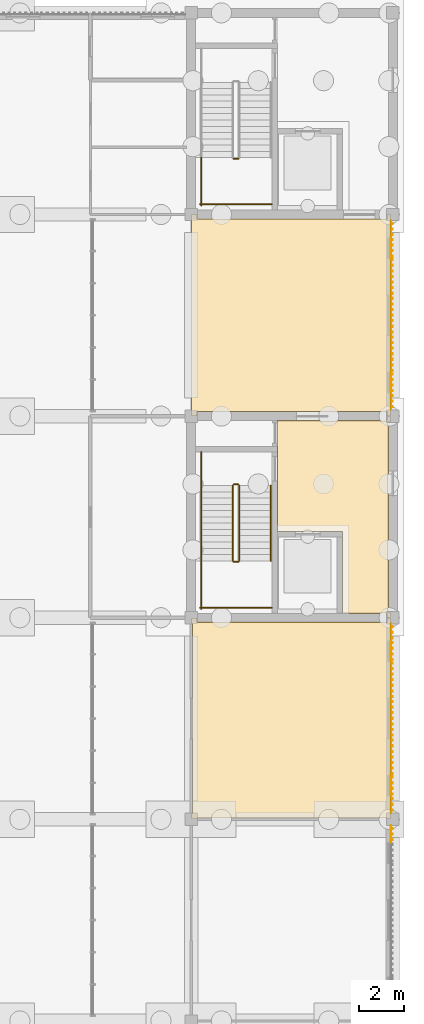
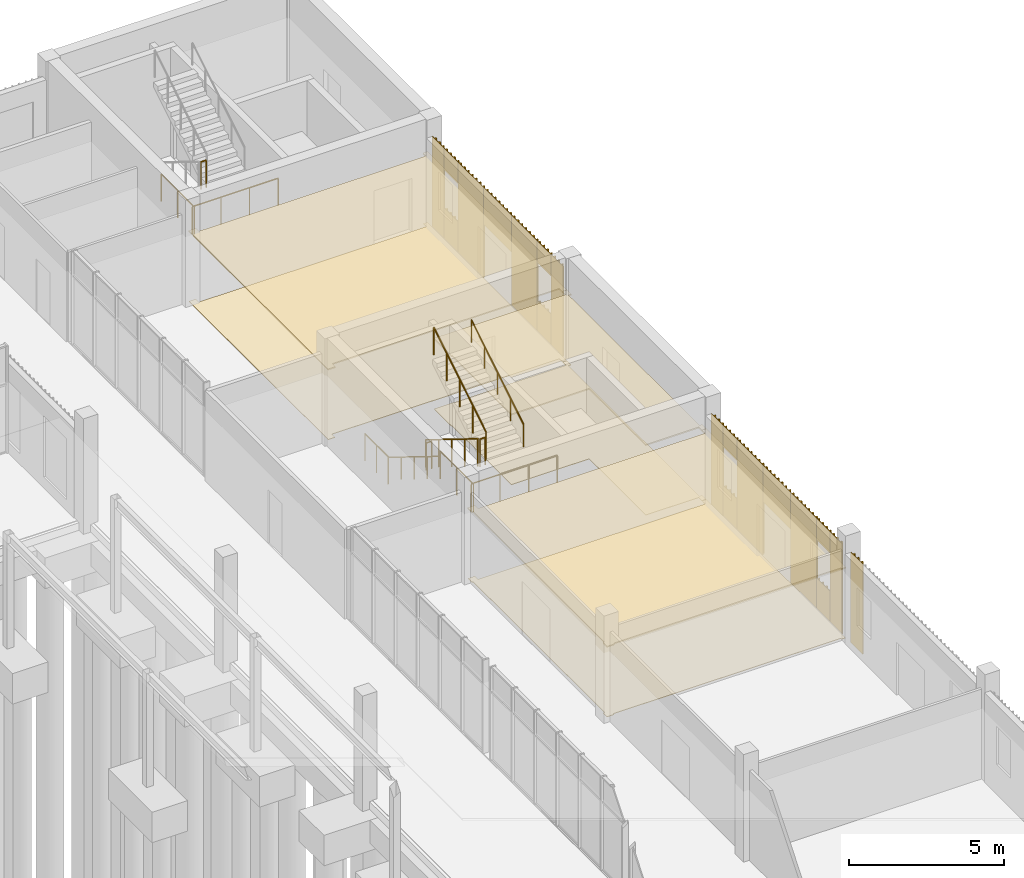
# One storey, part 98 of 106: 25 coverings, 12 railings.
"""IFC4 building model written with IfcOpenShell, lengths in metres."""

from ifc_helpers import new_model, si_unit, direction, frame, origin, origin_2d, place, context, subcontext, project, spatial, polyline, circle, outline, extrude, source, transform, mapped, material, layer, layer_set, type_object, element, save


model = new_model("IFC4")

# Units and contexts
model_context = context("Model", 3, precision=1e-05, world=origin(), true_north=direction((0.0, 1.0)))
body_context = subcontext(model_context, "Body", "Model", "MODEL_VIEW")
ifc_project = project(units=[si_unit("LENGTHUNIT", "METRE"), si_unit("AREAUNIT", "SQUARE_METRE"), si_unit("VOLUMEUNIT", "CUBIC_METRE"), si_unit("PLANEANGLEUNIT", "RADIAN"), si_unit("MASSUNIT", "GRAM", prefix="KILO")], contexts=[model_context])

# Site, building, storey
site_placement = place(None, origin())
site = spatial("IfcSite", under=ifc_project, at=site_placement, CompositionType="ELEMENT")
building_placement = place(site_placement, origin())
building = spatial("IfcBuilding", under=site, at=building_placement, Name="Merrow Basin Faculty of Sciences", CompositionType="ELEMENT")
storey_placement = place(building_placement, origin())
storey = spatial("IfcBuildingStorey", under=building, at=storey_placement, Name="L00", CompositionType="ELEMENT", Elevation=0.0)

# Coverings
ifc_material_1 = material(Name="Carpet tile floor")
ifc_layer_1 = layer(ifc_material_1, 0.02001953125)
ifc_layer_set_1 = layer_set([ifc_layer_1], Name="Carpet tile floor")
covering_type_1 = type_object("IfcCoveringType", Name="Carpet tile floor", PredefinedType="FLOORING", material=ifc_layer_set_1)
covering_1_placement = place(storey_placement, origin())
element("IfcCovering", 1, at=covering_1_placement, inside=storey, type_object=covering_type_1, Name="Floor finish L00-C-028", PredefinedType="FLOORING", context=body_context, shape_type="SweptSolid", body=[
    extrude(outline(polyline([(63.010009765625, 97.264892578125), (63.06005859375, 97.264892578125), (63.06005859375, 105.735107421875), (63.010009765625, 105.735107421875), (63.010009765625, 105.989990234375), (63.264892578125, 105.989990234375), (63.264892578125, 105.7900390625), (71.735107421875, 105.7900390625), (71.735107421875, 105.989990234375), (71.889892578125, 105.989990234375), (71.889892578125, 97.010009765625), (71.735107421875, 97.010009765625), (71.735107421875, 97.06005859375), (63.264892578125, 97.06005859375), (63.264892578125, 97.010009765625), (63.010009765625, 97.010009765625), (63.010009765625, 97.264892578125)])), origin(), (0.0, 0.0, 1.0), 0.02001953125),
])
ifc_material_2 = material(Name="Polished terrazzo floor")
ifc_layer_2 = layer(ifc_material_2, 0.02001953125)
ifc_layer_set_2 = layer_set([ifc_layer_2], Name="Polished terrazzo floor")
covering_type_2 = type_object("IfcCoveringType", Name="Polished terrazzo floor", PredefinedType="FLOORING", material=ifc_layer_set_2)
covering_2_placement = place(storey_placement, origin())
element("IfcCovering", 2, at=covering_2_placement, inside=storey, type_object=covering_type_2, Name="Floor finish L00-C-007", PredefinedType="FLOORING", context=body_context, shape_type="SweptSolid", body=[
    extrude(outline(polyline([(71.889892578125, 114.989990234375), (71.889892578125, 114.735107421875), (71.7900390625, 114.735107421875), (71.7900390625, 106.264892578125), (71.889892578125, 106.264892578125), (71.889892578125, 106.010009765625), (71.735107421875, 106.010009765625), (71.735107421875, 106.2099609375), (69.760009765625, 106.2099609375), (69.760009765625, 109.860107421875), (66.860107421875, 109.860107421875), (66.860107421875, 113.659912109375), (66.8349609375, 113.659912109375), (66.8349609375, 114.7900390625), (71.735107421875, 114.7900390625), (71.735107421875, 114.989990234375), (71.889892578125, 114.989990234375)])), origin(), (0.0, 0.0, 1.0), 0.02001953125),
])
covering_3_placement = place(storey_placement, origin())
element("IfcCovering", 3, at=covering_3_placement, inside=storey, type_object=covering_type_2, Name="Floor finish L00-C-019", PredefinedType="FLOORING", context=body_context, shape_type="SweptSolid", body=[
    extrude(outline(polyline([(63.010009765625, 123.989990234375), (63.264892578125, 123.989990234375), (63.264892578125, 123.7900390625), (71.735107421875, 123.7900390625), (71.735107421875, 123.989990234375), (71.889892578125, 123.989990234375), (71.889892578125, 115.010009765625), (71.735107421875, 115.010009765625), (71.735107421875, 115.2099609375), (63.264892578125, 115.2099609375), (63.264892578125, 115.010009765625), (63.010009765625, 115.010009765625), (63.010009765625, 123.989990234375)])), origin(), (0.0, 0.0, 1.0), 0.02001953125),
])

# Railings
ifc_material_3 = material(Name="Steel ASTM A36", Category="steel")
railing_type_1 = type_object("IfcRailingType", Name="Steel guard 1100", PredefinedType="GUARDRAIL", material=ifc_material_3)
railing_1_placement = place(storey_placement, frame((64.85009765625, 111.89990234375, 0.173095703125)))
element("IfcRailing", 4, at=railing_1_placement, inside=storey, type_object=railing_type_1, Name="L00 ST-V2-M stair guard 1", PredefinedType="GUARDRAIL", context=body_context, shape_type="SweptSolid", body=[
    extrude(circle(Radius=0.02392578125, at=origin_2d()), frame((0.0, 0.0, 1.076171875), z_axis=(0.0, -0.850606129759, 0.525803396734), x_axis=(1.0, 0.0, 0.0)), (0.0, 0.0, 1.0), 3.949951171875),
    extrude(circle(Radius=0.02099609375, at=origin_2d()), origin(), (0.0, 0.0, 1.0), 1.052001953125),
    extrude(circle(Radius=0.02099609375, at=origin_2d()), frame((0.0, -0.83984375, 0.519287109375)), (0.0, 0.0, 1.0), 1.052001953125),
    extrude(circle(Radius=0.02099609375, at=origin_2d()), frame((0.0, -1.679931640625, 1.03857421875)), (0.0, 0.0, 1.0), 1.052001953125),
    extrude(circle(Radius=0.02099609375, at=origin_2d()), frame((0.0, -2.52001953125, 1.5576171875)), (0.0, 0.0, 1.0), 1.052001953125),
    extrude(circle(Radius=0.02099609375, at=origin_2d()), frame((0.0, -3.35986328125, 2.076904296875)), (0.0, 0.0, 1.0), 1.052001953125),
])
railing_2_placement = place(storey_placement, frame((64.89990234375, 108.489990234375, 2.25)))
element("IfcRailing", 5, at=railing_2_placement, inside=storey, type_object=railing_type_1, Name="L00 ST-V2-M stair guard 2", PredefinedType="GUARDRAIL", context=body_context, shape_type="SweptSolid", body=[
    extrude(circle(Radius=0.02392578125, at=origin_2d()), frame((0.0, 0.0, 1.076171875), z_axis=(1.0, 0.0, 0.0), x_axis=(0.0, 1.0, 0.0)), (0.0, 0.0, 1.0), 0.2001953125),
    extrude(circle(Radius=0.02099609375, at=origin_2d()), origin(), (0.0, 0.0, 1.0), 1.052001953125),
    extrude(circle(Radius=0.02099609375, at=origin_2d()), frame((0.2001953125, 0.0, 0.0)), (0.0, 0.0, 1.0), 1.052001953125),
])
railing_3_placement = place(storey_placement, frame((63.449951171875, 108.5400390625, 2.25)))
element("IfcRailing", 6, at=railing_3_placement, inside=storey, type_object=railing_type_1, Name="L00 ST-V2-M stair guard 3", PredefinedType="GUARDRAIL", context=body_context, shape_type="SweptSolid", body=[
    extrude(circle(Radius=0.02392578125, at=origin_2d()), frame((0.0, 0.0, 1.076171875), z_axis=(0.0, -1.0, 0.0), x_axis=(1.0, 0.0, 0.0)), (0.0, 0.0, 1.0), 2.14013671875),
    extrude(circle(Radius=0.02099609375, at=origin_2d()), origin(), (0.0, 0.0, 1.0), 1.052001953125),
    extrude(circle(Radius=0.02099609375, at=origin_2d()), frame((0.0, -1.070068359375, 0.0)), (0.0, 0.0, 1.0), 1.052001953125),
    extrude(circle(Radius=0.02099609375, at=origin_2d()), frame((0.0, -2.14013671875, 0.0)), (0.0, 0.0, 1.0), 1.052001953125),
])
railing_4_placement = place(storey_placement, frame((63.39990234375, 106.449951171875, 2.25)))
element("IfcRailing", 7, at=railing_4_placement, inside=storey, type_object=railing_type_1, Name="L00 ST-V2-M stair guard 4", PredefinedType="GUARDRAIL", context=body_context, shape_type="SweptSolid", body=[
    extrude(circle(Radius=0.02392578125, at=origin_2d()), frame((0.0, 0.0, 1.076171875), z_axis=(1.0, 0.0, 0.0), x_axis=(0.0, 1.0, 0.0)), (0.0, 0.0, 1.0), 3.2001953125),
    extrude(circle(Radius=0.02099609375, at=origin_2d()), origin(), (0.0, 0.0, 1.0), 1.052001953125),
    extrude(circle(Radius=0.02099609375, at=origin_2d()), frame((1.066650390625, 0.0, 0.0)), (0.0, 0.0, 1.0), 1.052001953125),
    extrude(circle(Radius=0.02099609375, at=origin_2d()), frame((2.133544921875, 0.0, 0.0)), (0.0, 0.0, 1.0), 1.052001953125),
    extrude(circle(Radius=0.02099609375, at=origin_2d()), frame((3.2001953125, 0.0, 0.0)), (0.0, 0.0, 1.0), 1.052001953125),
])
railing_5_placement = place(storey_placement, frame((65.14990234375, 108.5400390625, 2.423095703125)))
element("IfcRailing", 8, at=railing_5_placement, inside=storey, type_object=railing_type_1, Name="L00 ST-V2-M stair guard 5", PredefinedType="GUARDRAIL", context=body_context, shape_type="SweptSolid", body=[
    extrude(circle(Radius=0.02392578125, at=origin_2d()), frame((0.0, 0.0, 1.076171875), z_axis=(0.0, 0.850606129759, 0.525803396734), x_axis=(-1.0, 0.0, 0.0)), (0.0, 0.0, 1.0), 3.949951171875),
    extrude(circle(Radius=0.02099609375, at=origin_2d()), origin(), (0.0, 0.0, 1.0), 1.052001953125),
    extrude(circle(Radius=0.02099609375, at=origin_2d()), frame((0.0, 0.83984375, 0.519287109375)), (0.0, 0.0, 1.0), 1.052001953125),
    extrude(circle(Radius=0.02099609375, at=origin_2d()), frame((0.0, 1.679931640625, 1.03857421875)), (0.0, 0.0, 1.0), 1.052001953125),
    extrude(circle(Radius=0.02099609375, at=origin_2d()), frame((0.0, 2.52001953125, 1.5576171875)), (0.0, 0.0, 1.0), 1.052001953125),
    extrude(circle(Radius=0.02099609375, at=origin_2d()), frame((0.0, 3.35986328125, 2.076904296875)), (0.0, 0.0, 1.0), 1.052001953125),
])
railing_6_placement = place(storey_placement, frame((64.89990234375, 111.949951171875, 0.0)))
element("IfcRailing", 9, at=railing_6_placement, inside=storey, type_object=railing_type_1, Name="L00 ST-V2-M stair guard 6", PredefinedType="GUARDRAIL", context=body_context, shape_type="SweptSolid", body=[
    extrude(circle(Radius=0.02392578125, at=origin_2d()), frame((0.0, 0.0, 1.076171875), z_axis=(1.0, 0.0, 0.0), x_axis=(0.0, 1.0, 0.0)), (0.0, 0.0, 1.0), 0.2001953125),
    extrude(circle(Radius=0.02099609375, at=origin_2d()), origin(), (0.0, 0.0, 1.0), 1.052001953125),
    extrude(circle(Radius=0.02099609375, at=origin_2d()), frame((0.2001953125, 0.0, 0.0)), (0.0, 0.0, 1.0), 1.052001953125),
])
railing_7_placement = place(storey_placement, frame((63.449951171875, 113.39990234375, 0.0)))
element("IfcRailing", 10, at=railing_7_placement, inside=storey, type_object=railing_type_1, Name="L00 ST-V2-M stair guard 7", PredefinedType="GUARDRAIL", context=body_context, shape_type="SweptSolid", body=[
    extrude(circle(Radius=0.02392578125, at=origin_2d()), frame((0.0, 0.0, 1.076171875), z_axis=(0.0, -1.0, 0.0), x_axis=(1.0, 0.0, 0.0)), (0.0, 0.0, 1.0), 1.5),
    extrude(circle(Radius=0.02099609375, at=origin_2d()), origin(), (0.0, 0.0, 1.0), 1.052001953125),
    extrude(circle(Radius=0.02099609375, at=origin_2d()), frame((0.0, -0.75, 0.0)), (0.0, 0.0, 1.0), 1.052001953125),
    extrude(circle(Radius=0.02099609375, at=origin_2d()), frame((0.0, -1.5, 0.0)), (0.0, 0.0, 1.0), 1.052001953125),
])
railing_8_placement = place(storey_placement, frame((64.89990234375, 126.489990234375, 2.25)))
element("IfcRailing", 11, at=railing_8_placement, inside=storey, type_object=railing_type_1, Name="L00 ST-V2-N stair guard 2", PredefinedType="GUARDRAIL", context=body_context, shape_type="SweptSolid", body=[
    extrude(circle(Radius=0.02392578125, at=origin_2d()), frame((0.0, 0.0, 1.076171875), z_axis=(1.0, 0.0, 0.0), x_axis=(0.0, 1.0, 0.0)), (0.0, 0.0, 1.0), 0.2001953125),
    extrude(circle(Radius=0.02099609375, at=origin_2d()), origin(), (0.0, 0.0, 1.0), 1.052001953125),
    extrude(circle(Radius=0.02099609375, at=origin_2d()), frame((0.2001953125, 0.0, 0.0)), (0.0, 0.0, 1.0), 1.052001953125),
])
railing_9_placement = place(storey_placement, frame((63.449951171875, 126.5400390625, 2.25)))
element("IfcRailing", 12, at=railing_9_placement, inside=storey, type_object=railing_type_1, Name="L00 ST-V2-N stair guard 3", PredefinedType="GUARDRAIL", context=body_context, shape_type="SweptSolid", body=[
    extrude(circle(Radius=0.02392578125, at=origin_2d()), frame((0.0, 0.0, 1.076171875), z_axis=(0.0, -1.0, 0.0), x_axis=(1.0, 0.0, 0.0)), (0.0, 0.0, 1.0), 2.14013671875),
    extrude(circle(Radius=0.02099609375, at=origin_2d()), origin(), (0.0, 0.0, 1.0), 1.052001953125),
    extrude(circle(Radius=0.02099609375, at=origin_2d()), frame((0.0, -1.070068359375, 0.0)), (0.0, 0.0, 1.0), 1.052001953125),
    extrude(circle(Radius=0.02099609375, at=origin_2d()), frame((0.0, -2.14013671875, 0.0)), (0.0, 0.0, 1.0), 1.052001953125),
])
railing_10_placement = place(storey_placement, frame((63.39990234375, 124.449951171875, 2.25)))
element("IfcRailing", 13, at=railing_10_placement, inside=storey, type_object=railing_type_1, Name="L00 ST-V2-N stair guard 4", PredefinedType="GUARDRAIL", context=body_context, shape_type="SweptSolid", body=[
    extrude(circle(Radius=0.02392578125, at=origin_2d()), frame((0.0, 0.0, 1.076171875), z_axis=(1.0, 0.0, 0.0), x_axis=(0.0, 1.0, 0.0)), (0.0, 0.0, 1.0), 3.2001953125),
    extrude(circle(Radius=0.02099609375, at=origin_2d()), origin(), (0.0, 0.0, 1.0), 1.052001953125),
    extrude(circle(Radius=0.02099609375, at=origin_2d()), frame((1.066650390625, 0.0, 0.0)), (0.0, 0.0, 1.0), 1.052001953125),
    extrude(circle(Radius=0.02099609375, at=origin_2d()), frame((2.133544921875, 0.0, 0.0)), (0.0, 0.0, 1.0), 1.052001953125),
    extrude(circle(Radius=0.02099609375, at=origin_2d()), frame((3.2001953125, 0.0, 0.0)), (0.0, 0.0, 1.0), 1.052001953125),
])
ifc_material_4 = material(Name="Steel ASTM A36", Category="steel")
railing_type_2 = type_object("IfcRailingType", Name="Steel handrail 900", PredefinedType="HANDRAIL", material=ifc_material_4)
railing_11_placement = place(storey_placement, frame((63.449951171875, 111.89990234375, 0.173095703125)))
element("IfcRailing", 14, at=railing_11_placement, inside=storey, type_object=railing_type_2, Name="L00 ST-V2-M stair handrail 1", PredefinedType="HANDRAIL", context=body_context, shape_type="SweptSolid", body=[
    extrude(circle(Radius=0.02392578125, at=origin_2d()), frame((0.0, 0.0, 0.8759765625), z_axis=(0.0, -0.850606129759, 0.525803396734), x_axis=(1.0, 0.0, 0.0)), (0.0, 0.0, 1.0), 3.949951171875),
    extrude(circle(Radius=0.02099609375, at=origin_2d()), origin(), (0.0, 0.0, 1.0), 0.851806640625),
    extrude(circle(Radius=0.02099609375, at=origin_2d()), frame((0.0, -0.83984375, 0.519287109375)), (0.0, 0.0, 1.0), 0.851806640625),
    extrude(circle(Radius=0.02099609375, at=origin_2d()), frame((0.0, -1.679931640625, 1.03857421875)), (0.0, 0.0, 1.0), 0.851806640625),
    extrude(circle(Radius=0.02099609375, at=origin_2d()), frame((0.0, -2.52001953125, 1.5576171875)), (0.0, 0.0, 1.0), 0.851806640625),
    extrude(circle(Radius=0.02099609375, at=origin_2d()), frame((0.0, -3.35986328125, 2.076904296875)), (0.0, 0.0, 1.0), 0.851806640625),
])
railing_12_placement = place(storey_placement, frame((66.550048828125, 108.5400390625, 2.423095703125)))
element("IfcRailing", 15, at=railing_12_placement, inside=storey, type_object=railing_type_2, Name="L00 ST-V2-M stair handrail 2", PredefinedType="HANDRAIL", context=body_context, shape_type="SweptSolid", body=[
    extrude(circle(Radius=0.02392578125, at=origin_2d()), frame((0.0, 0.0, 0.8759765625), z_axis=(0.0, 0.850606129759, 0.525803396734), x_axis=(-1.0, 0.0, 0.0)), (0.0, 0.0, 1.0), 3.949951171875),
    extrude(circle(Radius=0.02099609375, at=origin_2d()), origin(), (0.0, 0.0, 1.0), 0.851806640625),
    extrude(circle(Radius=0.02099609375, at=origin_2d()), frame((0.0, 0.83984375, 0.519287109375)), (0.0, 0.0, 1.0), 0.851806640625),
    extrude(circle(Radius=0.02099609375, at=origin_2d()), frame((0.0, 1.679931640625, 1.03857421875)), (0.0, 0.0, 1.0), 0.851806640625),
    extrude(circle(Radius=0.02099609375, at=origin_2d()), frame((0.0, 2.52001953125, 1.5576171875)), (0.0, 0.0, 1.0), 0.851806640625),
    extrude(circle(Radius=0.02099609375, at=origin_2d()), frame((0.0, 3.35986328125, 2.076904296875)), (0.0, 0.0, 1.0), 0.851806640625),
])

# Coverings
ifc_material_5 = material(Name="Mineral fibre ceiling tile")
ifc_layer_3 = layer(ifc_material_5, 0.050048828125)
ifc_layer_set_3 = layer_set([ifc_layer_3], Name="Suspended acoustic ceiling tile")
covering_type_3 = type_object("IfcCoveringType", Name="Suspended acoustic ceiling tile", PredefinedType="CEILING", material=ifc_layer_set_3)
covering_4_placement = place(storey_placement, frame((0.0, 0.0, 2.75)))
element("IfcCovering", 16, at=covering_4_placement, inside=storey, type_object=covering_type_3, Name="Ceiling L00-C-007", PredefinedType="CEILING", context=body_context, shape_type="SweptSolid", body=[
    extrude(outline(polyline([(71.89990234375, 115.0), (71.89990234375, 114.72509765625), (71.800048828125, 114.72509765625), (71.800048828125, 106.27490234375), (71.89990234375, 106.27490234375), (71.89990234375, 106.0), (71.72509765625, 106.0), (71.72509765625, 106.199951171875), (69.75, 106.199951171875), (69.75, 109.85009765625), (66.85009765625, 109.85009765625), (66.85009765625, 113.64990234375), (66.824951171875, 113.64990234375), (66.824951171875, 114.800048828125), (71.72509765625, 114.800048828125), (71.72509765625, 115.0), (71.89990234375, 115.0)])), origin(), (0.0, 0.0, 1.0), 0.050048828125),
])
covering_5_placement = place(storey_placement, frame((0.0, 0.0, 2.75)))
element("IfcCovering", 17, at=covering_5_placement, inside=storey, type_object=covering_type_3, Name="Ceiling L00-C-019", PredefinedType="CEILING", context=body_context, shape_type="SweptSolid", body=[
    extrude(outline(polyline([(63.0, 124.0), (63.27490234375, 124.0), (63.27490234375, 123.800048828125), (71.72509765625, 123.800048828125), (71.72509765625, 124.0), (71.89990234375, 124.0), (71.89990234375, 115.0), (71.72509765625, 115.0), (71.72509765625, 115.199951171875), (63.27490234375, 115.199951171875), (63.27490234375, 115.0), (63.0, 115.0), (63.0, 124.0)])), origin(), (0.0, 0.0, 1.0), 0.050048828125),
])
covering_6_placement = place(storey_placement, frame((0.0, 0.0, 2.75)))
element("IfcCovering", 18, at=covering_6_placement, inside=storey, type_object=covering_type_3, Name="Ceiling L00-C-028", PredefinedType="CEILING", context=body_context, shape_type="SweptSolid", body=[
    extrude(outline(polyline([(63.0, 97.27490234375), (63.050048828125, 97.27490234375), (63.050048828125, 105.72509765625), (63.0, 105.72509765625), (63.0, 106.0), (63.27490234375, 106.0), (63.27490234375, 105.800048828125), (71.72509765625, 105.800048828125), (71.72509765625, 106.0), (71.89990234375, 106.0), (71.89990234375, 97.0), (71.72509765625, 97.0), (71.72509765625, 97.050048828125), (63.27490234375, 97.050048828125), (63.27490234375, 97.0), (63.0, 97.0), (63.0, 97.27490234375)])), origin(), (0.0, 0.0, 1.0), 0.050048828125),
])
ifc_material_6 = material(Name="Larch timber", Category="wood")
ifc_layer_4 = layer(ifc_material_6, 0.0849609375)
ifc_layer_set_4 = layer_set([ifc_layer_4], Name="Larch batten cladding 85")
covering_type_4 = type_object("IfcCoveringType", Name="Larch batten cladding 85", PredefinedType="CLADDING", material=ifc_layer_set_4)
shared_shape_1 = source(origin(), body_context, "Body", "SweptSolid", [
    extrude(outline(polyline([(0.0, 0.0), (1.800048828125, 0.0), (1.800048828125, 0.02490234375), (1.675048828125, 0.02490234375), (1.675048828125, 0.0849609375), (1.625, 0.0849609375), (1.625, 0.02490234375), (1.425048828125, 0.02490234375), (1.425048828125, 0.0849609375), (1.375, 0.0849609375), (1.375, 0.02490234375), (1.175048828125, 0.02490234375), (1.175048828125, 0.0849609375), (1.125, 0.0849609375), (1.125, 0.02490234375), (0.925048828125, 0.02490234375), (0.925048828125, 0.0849609375), (0.875, 0.0849609375), (0.875, 0.02490234375), (0.675048828125, 0.02490234375), (0.675048828125, 0.0849609375), (0.625, 0.0849609375), (0.625, 0.02490234375), (0.425048828125, 0.02490234375), (0.425048828125, 0.0849609375), (0.375, 0.0849609375), (0.375, 0.02490234375), (0.175048828125, 0.02490234375), (0.175048828125, 0.0849609375), (0.125, 0.0849609375), (0.125, 0.02490234375), (0.0, 0.02490234375), (0.0, 0.0)])), origin(), (0.0, 0.0, 1.0), 1.449951171875),
])
for number, where, z_axis, x_axis, name in (
    (19, (71.916015625, 102.39990234375, 2.10009765625), (0.0, 0.0, 1.0), (0.0, -1.0, 0.0), "Larch batten cladding"),
    (20, (71.916015625, 120.39990234375, 2.10009765625), (0.0, 0.0, 1.0), (0.0, -1.0, 0.0), "Larch batten cladding"),
):
    element("IfcCovering", number, at=place(storey_placement, frame(where, z_axis=z_axis, x_axis=x_axis)), inside=storey, type_object=covering_type_4, Name=name, PredefinedType="CLADDING", context=body_context, shape_type="MappedRepresentation", body=[
        mapped(shared_shape_1, transform((0.0, 0.0, 0.0), scale=1.0)),
    ])
shared_shape_2 = source(origin(), body_context, "Body", "SweptSolid", [
    extrude(outline(polyline([(0.0, 0.0), (1.64990234375, 0.0), (1.64990234375, 0.02490234375), (1.60009765625, 0.02490234375), (1.60009765625, 0.0849609375), (1.550048828125, 0.0849609375), (1.550048828125, 0.02490234375), (1.35009765625, 0.02490234375), (1.35009765625, 0.0849609375), (1.300048828125, 0.0849609375), (1.300048828125, 0.02490234375), (1.10009765625, 0.02490234375), (1.10009765625, 0.0849609375), (1.050048828125, 0.0849609375), (1.050048828125, 0.02490234375), (0.85009765625, 0.02490234375), (0.85009765625, 0.0849609375), (0.800048828125, 0.0849609375), (0.800048828125, 0.02490234375), (0.60009765625, 0.02490234375), (0.60009765625, 0.0849609375), (0.550048828125, 0.0849609375), (0.550048828125, 0.02490234375), (0.35009765625, 0.02490234375), (0.35009765625, 0.0849609375), (0.300048828125, 0.0849609375), (0.300048828125, 0.02490234375), (0.10009765625, 0.02490234375), (0.10009765625, 0.0849609375), (0.050048828125, 0.0849609375), (0.050048828125, 0.02490234375), (0.0, 0.02490234375), (0.0, 0.0)])), origin(), (0.0, 0.0, 1.0), 3.550048828125),
])
for number, where, z_axis, x_axis, name in (
    (21, (71.916015625, 104.050048828125, 0.0), (0.0, 0.0, 1.0), (0.0, -1.0, 0.0), "Larch batten cladding"),
    (22, (71.916015625, 100.60009765625, 0.0), (0.0, 0.0, 1.0), (0.0, -1.0, 0.0), "Larch batten cladding"),
    (23, (71.916015625, 122.050048828125, 0.0), (0.0, 0.0, 1.0), (0.0, -1.0, 0.0), "Larch batten cladding"),
    (24, (71.916015625, 118.60009765625, 0.0), (0.0, 0.0, 1.0), (0.0, -1.0, 0.0), "Larch batten cladding"),
):
    element("IfcCovering", number, at=place(storey_placement, frame(where, z_axis=z_axis, x_axis=x_axis)), inside=storey, type_object=covering_type_4, Name=name, PredefinedType="CLADDING", context=body_context, shape_type="MappedRepresentation", body=[
        mapped(shared_shape_2, transform((0.0, 0.0, 0.0), scale=1.0)),
    ])
shared_shape_3 = source(origin(), body_context, "Body", "SweptSolid", [
    extrude(outline(polyline([(0.0, 0.0), (0.89990234375, 0.0), (0.89990234375, 0.02490234375), (0.85009765625, 0.02490234375), (0.85009765625, 0.0849609375), (0.800048828125, 0.0849609375), (0.800048828125, 0.02490234375), (0.60009765625, 0.02490234375), (0.60009765625, 0.0849609375), (0.550048828125, 0.0849609375), (0.550048828125, 0.02490234375), (0.35009765625, 0.02490234375), (0.35009765625, 0.0849609375), (0.300048828125, 0.0849609375), (0.300048828125, 0.02490234375), (0.10009765625, 0.02490234375), (0.10009765625, 0.0849609375), (0.050048828125, 0.0849609375), (0.050048828125, 0.02490234375), (0.0, 0.02490234375), (0.0, 0.0)])), origin(), (0.0, 0.0, 1.0), 1.199951171875),
])
for number, where, z_axis, x_axis, name in (
    (25, (71.916015625, 104.949951171875, 0.0), (0.0, 0.0, 1.0), (0.0, -1.0, 0.0), "Larch batten cladding"),
    (26, (71.916015625, 98.949951171875, 0.0), (0.0, 0.0, 1.0), (0.0, -1.0, 0.0), "Larch batten cladding"),
    (27, (71.916015625, 122.949951171875, 0.0), (0.0, 0.0, 1.0), (0.0, -1.0, 0.0), "Larch batten cladding"),
    (28, (71.916015625, 116.949951171875, 0.0), (0.0, 0.0, 1.0), (0.0, -1.0, 0.0), "Larch batten cladding"),
):
    element("IfcCovering", number, at=place(storey_placement, frame(where, z_axis=z_axis, x_axis=x_axis)), inside=storey, type_object=covering_type_4, Name=name, PredefinedType="CLADDING", context=body_context, shape_type="MappedRepresentation", body=[
        mapped(shared_shape_3, transform((0.0, 0.0, 0.0), scale=1.0)),
    ])
shared_shape_4 = source(origin(), body_context, "Body", "SweptSolid", [
    extrude(outline(polyline([(0.0, 0.0), (0.89990234375, 0.0), (0.89990234375, 0.02490234375), (0.85009765625, 0.02490234375), (0.85009765625, 0.0849609375), (0.800048828125, 0.0849609375), (0.800048828125, 0.02490234375), (0.60009765625, 0.02490234375), (0.60009765625, 0.0849609375), (0.550048828125, 0.0849609375), (0.550048828125, 0.02490234375), (0.35009765625, 0.02490234375), (0.35009765625, 0.0849609375), (0.300048828125, 0.0849609375), (0.300048828125, 0.02490234375), (0.10009765625, 0.02490234375), (0.10009765625, 0.0849609375), (0.050048828125, 0.0849609375), (0.050048828125, 0.02490234375), (0.0, 0.02490234375), (0.0, 0.0)])), origin(), (0.0, 0.0, 1.0), 0.85009765625),
])
for number, where, z_axis, x_axis, name in (
    (29, (71.916015625, 104.949951171875, 2.699951171875), (0.0, 0.0, 1.0), (0.0, -1.0, 0.0), "Larch batten cladding"),
    (30, (71.916015625, 98.949951171875, 2.699951171875), (0.0, 0.0, 1.0), (0.0, -1.0, 0.0), "Larch batten cladding"),
    (31, (71.916015625, 122.949951171875, 2.699951171875), (0.0, 0.0, 1.0), (0.0, -1.0, 0.0), "Larch batten cladding"),
    (32, (71.916015625, 116.949951171875, 2.699951171875), (0.0, 0.0, 1.0), (0.0, -1.0, 0.0), "Larch batten cladding"),
):
    element("IfcCovering", number, at=place(storey_placement, frame(where, z_axis=z_axis, x_axis=x_axis)), inside=storey, type_object=covering_type_4, Name=name, PredefinedType="CLADDING", context=body_context, shape_type="MappedRepresentation", body=[
        mapped(shared_shape_4, transform((0.0, 0.0, 0.0), scale=1.0)),
    ])
shared_shape_5 = source(origin(), body_context, "Body", "SweptSolid", [
    extrude(outline(polyline([(0.0, 0.0), (0.77490234375, 0.0), (0.77490234375, 0.02490234375), (0.662109375, 0.02490234375), (0.662109375, 0.0849609375), (0.612060546875, 0.0849609375), (0.612060546875, 0.02490234375), (0.412109375, 0.02490234375), (0.412109375, 0.0849609375), (0.362060546875, 0.0849609375), (0.362060546875, 0.02490234375), (0.162109375, 0.02490234375), (0.162109375, 0.0849609375), (0.112060546875, 0.0849609375), (0.112060546875, 0.02490234375), (0.0, 0.02490234375), (0.0, 0.0)])), origin(), (0.0, 0.0, 1.0), 3.550048828125),
])
for number, where, z_axis, x_axis, name in (
    (33, (71.916015625, 96.72509765625, 0.0), (0.0, 0.0, 1.0), (0.0, -1.0, 0.0), "Larch batten cladding"),
    (34, (71.916015625, 105.72509765625, 0.0), (0.0, 0.0, 1.0), (0.0, -1.0, 0.0), "Larch batten cladding"),
    (35, (71.916015625, 98.050048828125, 0.0), (0.0, 0.0, 1.0), (0.0, -1.0, 0.0), "Larch batten cladding"),
    (36, (71.916015625, 123.72509765625, 0.0), (0.0, 0.0, 1.0), (0.0, -1.0, 0.0), "Larch batten cladding"),
    (37, (71.916015625, 116.050048828125, 0.0), (0.0, 0.0, 1.0), (0.0, -1.0, 0.0), "Larch batten cladding"),
):
    element("IfcCovering", number, at=place(storey_placement, frame(where, z_axis=z_axis, x_axis=x_axis)), inside=storey, type_object=covering_type_4, Name=name, PredefinedType="CLADDING", context=body_context, shape_type="MappedRepresentation", body=[
        mapped(shared_shape_5, transform((0.0, 0.0, 0.0), scale=1.0)),
    ])

save(model, "model.ifc")
